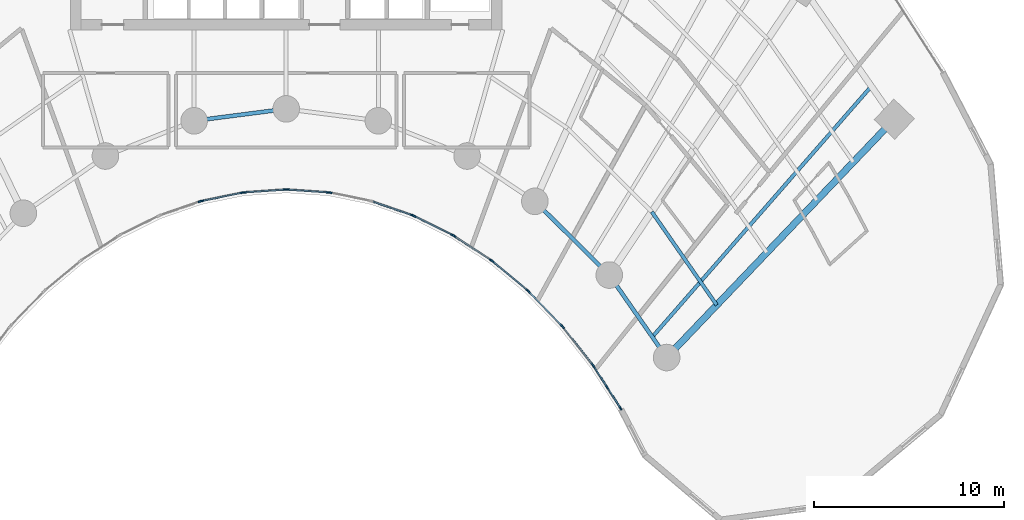
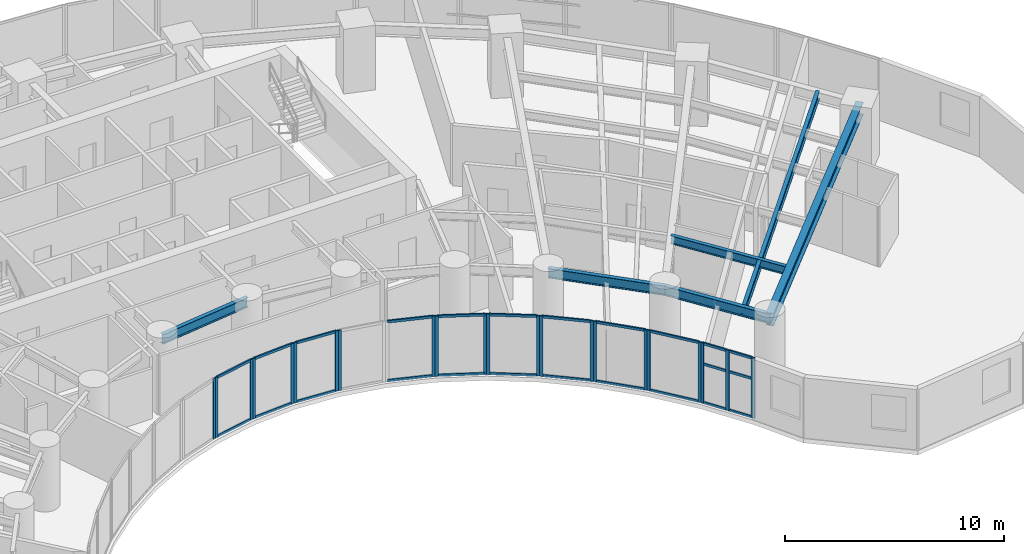
# One storey, part 4 of 17: 46 members, 6 beams, 12 elements without a shape of their own.
"""IFC4 building model written with IfcOpenShell, lengths in metres."""

import ifcopenshell
import ifcopenshell.guid

model = None  # the IFC model being written
_history = None  # IfcOwnerHistory: only IFC2X3 demands one
_inside = {}  # id of a spatial element -> (the spatial element, [elements in it])
_under = {}  # id of a project, library or spatial element -> (it, [spatial elements below it])
_declared = {}  # id of a project -> (the project, [libraries it declares])
_typed = {}  # id of a type object -> (the type object, [elements of that type])
_made_of = {}  # id of a material, layer set ... -> (it, [elements and type objects made of it])


def new_model(schema):
    """Start an empty IFC model of exactly this schema.

    Asked for "IFC4X3", IfcOpenShell would pick the latest addendum, in which some entities
    have other attributes; the version numbers below select the first issue.
    IFC2X3 requires an IfcOwnerHistory on every rooted entity: one is made here for all.
    """
    global model, _history
    if schema == "IFC4X3":
        model = ifcopenshell.file(schema_version=(4, 3, 0, 0))
    else:
        model = ifcopenshell.file(schema=schema)
    _inside.clear()
    _under.clear()
    _declared.clear()
    _typed.clear()
    _made_of.clear()
    _history = None
    if model.schema == "IFC2X3":
        org = make("IfcOrganization", Name="unknown")
        user = make(
            "IfcPersonAndOrganization",
            ThePerson=make("IfcPerson", FamilyName="unknown"),
            TheOrganization=org,
        )
        app = make(
            "IfcApplication",
            ApplicationDeveloper=org,
            Version="unknown",
            ApplicationFullName="unknown",
            ApplicationIdentifier="unknown",
        )
        _history = make(
            "IfcOwnerHistory",
            OwningUser=user,
            OwningApplication=app,
            ChangeAction="ADDED",
            CreationDate=0,
        )
    return model


def make(cls, **values):
    """One entity of the class cls with the attributes given. An attribute that is None is left unset."""
    return model.create_entity(
        cls, **{name: value for name, value in values.items() if value is not None}
    )


def rooted(cls, **values):
    """An entity with a GlobalId (a new one), such as an element, a storey or a relation."""
    return make(cls, GlobalId=ifcopenshell.guid.new(), OwnerHistory=_history, **values)


def si_unit(unit_type, name, prefix=None):
    """IfcSIUnit, for example si_unit("LENGTHUNIT", "METRE", prefix="MILLI")."""
    return make("IfcSIUnit", UnitType=unit_type, Prefix=prefix, Name=name)


def assignment(units):
    """IfcUnitAssignment: the units of a project."""
    return None if units is None else make("IfcUnitAssignment", Units=units)


def point(xyz):
    """IfcCartesianPoint."""
    return None if xyz is None else make("IfcCartesianPoint", Coordinates=xyz)


def direction(xyz):
    """IfcDirection."""
    return None if xyz is None else make("IfcDirection", DirectionRatios=xyz)


def frame(location, z_axis=None, x_axis=None):
    """IfcAxis2Placement3D, a coordinate frame: its origin and axes. An axis left out is left unset."""
    return make(
        "IfcAxis2Placement3D",
        Location=point(location),
        Axis=direction(z_axis),
        RefDirection=direction(x_axis),
    )


def frame_2d(location, x_axis=None):
    """IfcAxis2Placement2D, a coordinate frame in the plane: its origin and x axis."""
    return make(
        "IfcAxis2Placement2D", Location=point(location), RefDirection=direction(x_axis)
    )


def origin():
    """The frame at (0, 0, 0) with its axes left unset."""
    return frame((0.0, 0.0, 0.0))


def origin_2d():
    """The frame at (0, 0) in the plane with its x axis left unset."""
    return frame_2d((0.0, 0.0))


def place(relative_to, where):
    """IfcLocalPlacement: puts the frame where relative to a parent placement (None: the world)."""
    return make(
        "IfcLocalPlacement", PlacementRelTo=relative_to, RelativePlacement=where
    )


def context(
    kind, dimensions, precision=None, world=None, true_north=None, identifier=None
):
    """IfcGeometricRepresentationContext, for example the 3D "Model" context."""
    return make(
        "IfcGeometricRepresentationContext",
        ContextIdentifier=identifier,
        ContextType=kind,
        CoordinateSpaceDimension=dimensions,
        Precision=precision,
        WorldCoordinateSystem=world,
        TrueNorth=true_north,
    )


def subcontext(parent, identifier, kind, view, scale=None):
    """IfcGeometricRepresentationSubContext, for example "Body" below "Model"."""
    return make(
        "IfcGeometricRepresentationSubContext",
        ContextIdentifier=identifier,
        ContextType=kind,
        ParentContext=parent,
        TargetScale=scale,
        TargetView=view,
    )


def project(units=None, contexts=None):
    """IfcProject with its units and contexts."""
    return rooted(
        "IfcProject",
        Name="project",
        RepresentationContexts=contexts,
        UnitsInContext=assignment(units),
    )


def spatial(cls, under=None, at=None, **own):
    """A site, building, storey or space (cls), placed at a placement, below another one or the project."""
    s = rooted(cls, ObjectPlacement=at, **own)
    if under is not None:
        _under.setdefault(under.id(), (under, []))[1].append(s)
    return s


def profile(cls, at=None, kind="AREA", **sizes):
    """A parametric profile (cls). Its sizes go by their IFC names, for example OverallWidth=200.0."""
    return make(cls, ProfileType=kind, Position=at, **sizes)


def rectangle(**sizes):
    """IfcRectangleProfileDef."""
    return profile("IfcRectangleProfileDef", **sizes)


def i_section(**sizes):
    """IfcIShapeProfileDef."""
    return profile("IfcIShapeProfileDef", **sizes)


def extrude(swept, where, along, depth):
    """IfcExtrudedAreaSolid: the profile swept, set in the frame where, extruded along a direction by depth."""
    return make(
        "IfcExtrudedAreaSolid",
        SweptArea=swept,
        Position=where,
        ExtrudedDirection=direction(along),
        Depth=depth,
    )


def shape(context_of_items, identifier, shape_type, items):
    """IfcShapeRepresentation: the items that make up one representation, for example the "Body"."""
    return make(
        "IfcShapeRepresentation",
        ContextOfItems=context_of_items,
        RepresentationIdentifier=identifier,
        RepresentationType=shape_type,
        Items=items,
    )


def source(mapping_origin, context_of_items, identifier, shape_type, items):
    """IfcRepresentationMap: a shape defined once, which mapped items show again and again."""
    return make(
        "IfcRepresentationMap",
        MappingOrigin=mapping_origin,
        MappedRepresentation=shape(context_of_items, identifier, shape_type, items),
    )


def transform(
    local_origin,
    x_axis=None,
    y_axis=None,
    z_axis=None,
    scale=None,
    scale2=None,
    scale3=None,
    uniform=True,
):
    """IfcCartesianTransformationOperator3D, or its non-uniform kind. x_axis, y_axis, z_axis: its Axis1, 2, 3."""
    if uniform:
        return make(
            "IfcCartesianTransformationOperator3D",
            Axis1=direction(x_axis),
            Axis2=direction(y_axis),
            LocalOrigin=point(local_origin),
            Scale=scale,
            Axis3=direction(z_axis),
        )
    return make(
        "IfcCartesianTransformationOperator3DnonUniform",
        Axis1=direction(x_axis),
        Axis2=direction(y_axis),
        LocalOrigin=point(local_origin),
        Scale=scale,
        Axis3=direction(z_axis),
        Scale2=scale2,
        Scale3=scale3,
    )


def mapped(mapping_source, mapping_target):
    """IfcMappedItem: shows the shape of a source again, moved by a transform."""
    return make(
        "IfcMappedItem", MappingSource=mapping_source, MappingTarget=mapping_target
    )


def material(Name=None, Category=None):
    """IfcMaterial."""
    return make("IfcMaterial", Name=Name, Category=Category)


def layer(
    of_material, thickness, ventilated=None, Name=None, Category=None, Priority=None
):
    """IfcMaterialLayer: one layer of a wall or slab, of a material (None: an air gap)."""
    return make(
        "IfcMaterialLayer",
        Material=of_material,
        LayerThickness=thickness,
        IsVentilated=ventilated,
        Name=Name,
        Category=Category,
        Priority=Priority,
    )


def layer_set(layers, Name=None):
    """IfcMaterialLayerSet."""
    return make("IfcMaterialLayerSet", MaterialLayers=layers, LayerSetName=Name)


def material_profile(
    of_material, cross_section, Name=None, Category=None, Priority=None
):
    """IfcMaterialProfile: a cross section and its material."""
    return make(
        "IfcMaterialProfile",
        Name=Name,
        Material=of_material,
        Profile=cross_section,
        Priority=Priority,
        Category=Category,
    )


def profile_set(profiles, Name=None, composite=None):
    """IfcMaterialProfileSet."""
    return make(
        "IfcMaterialProfileSet",
        Name=Name,
        MaterialProfiles=profiles,
        CompositeProfile=composite,
    )


def made_of(thing, what):
    """Note that an element or type object is made of a material, layer set ...; save() writes the relation."""
    if what is not None:
        _made_of.setdefault(what.id(), (what, []))[1].append(thing)
    return thing


def type_object(cls, material=None, **own):
    """A type object (cls), such as IfcWallType, which elements share."""
    return made_of(rooted(cls, **own), material)


def type_shapes(of_type, sources):
    """Give a type object the sources (RepresentationMaps) that its elements show as mapped items."""
    of_type.RepresentationMaps = sources


def element(
    cls,
    number,
    at=None,
    inside=None,
    cuts=None,
    type_object=None,
    material=None,
    context=None,
    identifier="Body",
    shape_type=None,
    held_by="IfcProductDefinitionShape",
    body=None,
    shapes=None,
    **own,
):
    """One element of the class cls, such as IfcWall. Its Tag is "e" and its number.

    at: its placement. inside: the storey or other place that contains it. cuts: it is an
    opening in that element (IfcRelVoidsElement). A single representation is given by context,
    identifier, shape_type and body (its items); several are given by shapes. held_by: the class
    of the entity that holds the representations. save() writes the other relations.
    """
    e = rooted(cls, Tag="e%d" % number, ObjectPlacement=at, **own)
    if body is not None:
        shapes = [shape(context, identifier, shape_type, body)]
    if shapes is not None:
        e.Representation = make(held_by, Representations=shapes)
    if inside is not None:
        _inside.setdefault(inside.id(), (inside, []))[1].append(e)
    if cuts is not None:
        rooted(
            "IfcRelVoidsElement", RelatingBuildingElement=cuts, RelatedOpeningElement=e
        )
    if type_object is not None:
        _typed.setdefault(type_object.id(), (type_object, []))[1].append(e)
    return made_of(e, material)


def aggregate(whole, parts):
    """IfcRelAggregates: a whole, such as a stair, and the parts it consists of."""
    return rooted("IfcRelAggregates", RelatingObject=whole, RelatedObjects=parts)


def save(model, path):
    """Write the relations noted so far, then the file.

    IfcRelAggregates (storeys below a building ...), IfcRelContainedInSpatialStructure (elements
    in a storey), IfcRelDefinesByType, IfcRelAssociatesMaterial and IfcRelDeclares: one each for
    every whole, place, type object, material and project.
    """
    for whole, parts in _under.values():
        aggregate(whole, parts)
    for where, things in _inside.values():
        rooted(
            "IfcRelContainedInSpatialStructure",
            RelatedElements=things,
            RelatingStructure=where,
        )
    for kind, things in _typed.values():
        rooted("IfcRelDefinesByType", RelatedObjects=things, RelatingType=kind)
    for what, things in _made_of.values():
        rooted("IfcRelAssociatesMaterial", RelatedObjects=things, RelatingMaterial=what)
    for by, libraries in _declared.values():
        rooted("IfcRelDeclares", RelatingContext=by, RelatedDefinitions=libraries)
    model.write(path)


model = new_model("IFC4")

# Units and contexts
model_context = context("Model", 3, precision=1e-05, world=origin(), true_north=direction((0.0, 1.0)))
body_context = subcontext(model_context, "Body", "Model", "MODEL_VIEW")
ifc_project = project(units=[si_unit("LENGTHUNIT", "METRE"), si_unit("AREAUNIT", "SQUARE_METRE"), si_unit("VOLUMEUNIT", "CUBIC_METRE"), si_unit("PLANEANGLEUNIT", "RADIAN"), si_unit("MASSUNIT", "GRAM", prefix="KILO")], contexts=[model_context])

# Site, building, storey
site_placement = place(None, origin())
site = spatial("IfcSite", under=ifc_project, at=site_placement, CompositionType="ELEMENT")
building_placement = place(site_placement, origin())
building = spatial("IfcBuilding", under=site, at=building_placement, Name="Breltana Convention Tower", CompositionType="ELEMENT")
storey_placement = place(building_placement, frame((0.0, 0.0, 71.39990234375)))
storey = spatial("IfcBuildingStorey", under=building, at=storey_placement, Name="L16", CompositionType="ELEMENT", Elevation=71.39990234375)

# Beams
ifc_material_1 = material(Name="Steel ASTM A992 Grade 50", Category="steel")
ifc_material_profile_1 = material_profile(ifc_material_1, i_section(OverallWidth=0.35498046875, OverallDepth=0.696044921875, WebThickness=0.015380859375, FlangeThickness=0.02490234375, at=origin_2d()), Name="W27X146")
ifc_profile_set_1 = profile_set([ifc_material_profile_1], Name="Steel ASTM A992 Grade 50")
beam_type_1 = type_object("IfcBeamType", Name="BM-RG-W27X146", PredefinedType="USERDEFINED", material=ifc_profile_set_1)
shared_shape_1 = source(origin(), body_context, "Body", "SweptSolid", [
    extrude(i_section(OverallWidth=0.35498046875, OverallDepth=0.696044921875, WebThickness=0.015380859375, FlangeThickness=0.02490234375, at=origin_2d()), origin(), (0.0, 0.0, 1.0), 17.341064453125),
])
type_shapes(beam_type_1, [shared_shape_1])
beam_1_placement = place(storey_placement, frame((68.015380859375, 42.95458984375, 3.01220703125), z_axis=(0.690716462293, 0.723125693581, 0.0), x_axis=(-0.723125693581, 0.690716462293, 0.0)))
element("IfcBeam", 1, at=beam_1_placement, inside=storey, type_object=beam_type_1, Name="L16 Radial Floor Girder R11", ObjectType="GIRDER", PredefinedType="USERDEFINED", context=body_context, shape_type="MappedRepresentation", body=[
    mapped(shared_shape_1, transform((0.0, 0.0, 0.0), scale=1.0)),
])
ifc_material_profile_2 = material_profile(ifc_material_1, i_section(OverallWidth=0.2099609375, OverallDepth=0.537109375, WebThickness=0.010986328125, FlangeThickness=0.017333984375, at=origin_2d()), Name="W21X68")
ifc_profile_set_2 = profile_set([ifc_material_profile_2], Name="Steel ASTM A992 Grade 50")
beam_type_2 = type_object("IfcBeamType", Name="BM-BM-W21X68", PredefinedType="BEAM", material=ifc_profile_set_2)
shared_shape_2 = source(origin(), body_context, "Body", "SweptSolid", [
    extrude(i_section(OverallWidth=0.2099609375, OverallDepth=0.537109375, WebThickness=0.010986328125, FlangeThickness=0.017333984375, at=origin_2d()), origin(), (0.0, 0.0, 1.0), 4.88671875),
])
beam_2_placement = place(storey_placement, frame((43.153564453125, 55.41064453125, 3.091552734375), z_axis=(0.991780525565, 0.127950729231, 0.0), x_axis=(-0.127950729231, 0.991780525565, 0.0)))
element("IfcBeam", 2, at=beam_2_placement, inside=storey, type_object=beam_type_2, Name="L16 Inner Ring Beam 05", PredefinedType="BEAM", context=body_context, shape_type="MappedRepresentation", body=[
    mapped(shared_shape_2, transform((0.0, 0.0, 0.0), scale=1.0)),
])
shared_shape_3 = source(origin(), body_context, "Body", "SweptSolid", [
    extrude(i_section(OverallWidth=0.2099609375, OverallDepth=0.537109375, WebThickness=0.010986328125, FlangeThickness=0.017333984375, at=origin_2d()), origin(), (0.0, 0.0, 1.0), 5.51171875),
])
beam_3_placement = place(storey_placement, frame((61.08203125, 51.174560546875, 3.091552734375), z_axis=(0.710090360749, -0.704110559196, 0.0), x_axis=(0.704110559196, 0.710090360749, 0.0)))
element("IfcBeam", 3, at=beam_3_placement, inside=storey, type_object=beam_type_2, Name="L16 Inner Ring Beam 09", PredefinedType="BEAM", context=body_context, shape_type="MappedRepresentation", body=[
    mapped(shared_shape_3, transform((0.0, 0.0, 0.0), scale=1.0)),
])
shared_shape_4 = source(origin(), body_context, "Body", "SweptSolid", [
    extrude(i_section(OverallWidth=0.2099609375, OverallDepth=0.537109375, WebThickness=0.010986328125, FlangeThickness=0.017333984375, at=origin_2d()), origin(), (0.0, 0.0, 1.0), 5.286376953125),
])
beam_4_placement = place(storey_placement, frame((64.995849609375, 47.293701171875, 3.091552734375), z_axis=(0.571194382458, -0.82081482531, 0.0), x_axis=(0.82081482531, 0.571194382458, 0.0)))
element("IfcBeam", 4, at=beam_4_placement, inside=storey, type_object=beam_type_2, Name="L16 Inner Ring Beam 10", PredefinedType="BEAM", context=body_context, shape_type="MappedRepresentation", body=[
    mapped(shared_shape_4, transform((0.0, 0.0, 0.0), scale=1.0)),
])
ifc_material_profile_3 = material_profile(ifc_material_1, i_section(OverallWidth=0.19091796875, OverallDepth=0.4599609375, WebThickness=0.010009765625, FlangeThickness=0.01611328125, at=origin_2d()), Name="W18X55")
ifc_profile_set_3 = profile_set([ifc_material_profile_3], Name="Steel ASTM A992 Grade 50")
beam_type_3 = type_object("IfcBeamType", Name="BM-JSG-07", PredefinedType="JOIST", material=ifc_profile_set_3)
shared_shape_5 = source(origin(), body_context, "Body", "SweptSolid", [
    extrude(i_section(OverallWidth=0.19091796875, OverallDepth=0.4599609375, WebThickness=0.010009765625, FlangeThickness=0.01611328125, at=origin_2d()), origin(), (0.0, 0.0, 1.0), 5.982421875),
])
beam_5_placement = place(storey_placement, frame((67.2333984375, 50.623779296875, 3.130126953125), z_axis=(0.571211549446, -0.82080287876, 0.0), x_axis=(0.82080287876, 0.571211549446, 0.0)))
element("IfcBeam", 5, at=beam_5_placement, inside=storey, type_object=beam_type_3, Name="L16 Composite Floor Joist 10.1", PredefinedType="JOIST", context=body_context, shape_type="MappedRepresentation", body=[
    mapped(shared_shape_5, transform((0.0, 0.0, 0.0), scale=1.0)),
])
shared_shape_6 = source(origin(), body_context, "Body", "SweptSolid", [
    extrude(i_section(OverallWidth=0.19091796875, OverallDepth=0.4599609375, WebThickness=0.010009765625, FlangeThickness=0.01611328125, at=origin_2d()), origin(), (0.0, 0.0, 1.0), 17.515625),
])
beam_6_placement = place(storey_placement, frame((67.260498046875, 44.03955078125, 3.130126953125), z_axis=(0.658051548324, 0.752972881151, 0.0), x_axis=(-0.752972881151, 0.658051548324, 0.0)))
element("IfcBeam", 6, at=beam_6_placement, inside=storey, type_object=beam_type_3, Name="L16 Quarter-Bay Radial Trimmer 10", PredefinedType="JOIST", context=body_context, shape_type="MappedRepresentation", body=[
    mapped(shared_shape_6, transform((0.0, 0.0, 0.0), scale=1.0)),
])

# Curtain wall, members
ifc_material_2 = material(Name="Aluminium Anodised Bronze Frame", Category="aluminium")
ifc_layer = layer(ifc_material_2, 0.18994140625, Name="Aluminium Anodised Bronze Frame")
ifc_layer_set = layer_set([ifc_layer], Name="Aluminium Anodised Bronze Frame")
curtain_wall_type = type_object("IfcCurtainWallType", Name="CW-SYS-1", PredefinedType="NOTDEFINED", material=ifc_layer_set)
curtain_wall_1_placement = place(storey_placement, origin())
curtain_wall_1 = element("IfcCurtainWall", 7, at=curtain_wall_1_placement, inside=storey, type_object=curtain_wall_type, Name="L16 inner south-court glazing 3", PredefinedType="NOTDEFINED")
ifc_material_3 = material(Name="Aluminium Anodised Bronze", Category="aluminium")
ifc_material_profile_4 = material_profile(ifc_material_3, rectangle(XDim=0.080078125, YDim=0.139892578125, at=origin_2d()), Name="CWT-80X140")
ifc_profile_set_4 = profile_set([ifc_material_profile_4], Name="Aluminium Anodised Bronze")
member_type_1 = type_object("IfcMemberType", Name="CWT-140", PredefinedType="USERDEFINED", material=ifc_profile_set_4)
shared_shape_7 = source(origin(), body_context, "Body", "SweptSolid", [
    extrude(rectangle(XDim=0.080078125, YDim=0.139892578125, at=origin_2d()), origin(), (0.0, 0.0, 1.0), 2.38720703125),
])
type_shapes(member_type_1, [shared_shape_7])
member_1_placement = place(storey_placement, frame((62.4560546875, 44.667724609375, 0.0400390625), z_axis=(-0.694623715393, 0.719373264734, 0.0), x_axis=(-0.719373264734, -0.694623715393, 0.0)))
member_1 = element("IfcMember", 8, at=member_1_placement, type_object=member_type_1, Name="CW-01 transom 1.1", ObjectType="TRANSOM", PredefinedType="USERDEFINED", context=body_context, shape_type="MappedRepresentation", body=[
    mapped(shared_shape_7, transform((0.0, 0.0, 0.0), scale=1.0)),
])
member_2_placement = place(storey_placement, frame((62.4560546875, 44.667724609375, 3.320068359375), z_axis=(-0.694623715393, 0.719373264734, 0.0), x_axis=(-0.719373264734, -0.694623715393, 0.0)))
member_2 = element("IfcMember", 9, at=member_2_placement, type_object=member_type_1, Name="CW-01 transom 1.2", ObjectType="TRANSOM", PredefinedType="USERDEFINED", context=body_context, shape_type="MappedRepresentation", body=[
    mapped(shared_shape_7, transform((0.0, 0.0, 0.0), scale=1.0)),
])

curtain_wall_2_placement = place(storey_placement, origin())
curtain_wall_2 = element("IfcCurtainWall", 10, at=curtain_wall_2_placement, inside=storey, type_object=curtain_wall_type, Name="L16 inner south-court glazing 4", PredefinedType="NOTDEFINED")
shared_shape_8 = source(origin(), body_context, "Body", "SweptSolid", [
    extrude(rectangle(XDim=0.080078125, YDim=0.139892578125, at=origin_2d()), origin(), (0.0, 0.0, 1.0), 2.312255859375),
])
member_3_placement = place(storey_placement, frame((60.666748046875, 46.5068359375, 0.0400390625), z_axis=(-0.767900974507, 0.640568570374, 0.0), x_axis=(-0.640568570374, -0.767900974507, 0.0)))
member_3 = element("IfcMember", 11, at=member_3_placement, type_object=member_type_1, Name="CW-01 transom 1.1", ObjectType="TRANSOM", PredefinedType="USERDEFINED", context=body_context, shape_type="MappedRepresentation", body=[
    mapped(shared_shape_8, transform((0.0, 0.0, 0.0), scale=1.0)),
])
member_4_placement = place(storey_placement, frame((60.666748046875, 46.5068359375, 3.320068359375), z_axis=(-0.767900974507, 0.640568570374, 0.0), x_axis=(-0.640568570374, -0.767900974507, 0.0)))
member_4 = element("IfcMember", 12, at=member_4_placement, type_object=member_type_1, Name="CW-01 transom 1.2", ObjectType="TRANSOM", PredefinedType="USERDEFINED", context=body_context, shape_type="MappedRepresentation", body=[
    mapped(shared_shape_8, transform((0.0, 0.0, 0.0), scale=1.0)),
])

curtain_wall_3_placement = place(storey_placement, origin())
curtain_wall_3 = element("IfcCurtainWall", 13, at=curtain_wall_3_placement, inside=storey, type_object=curtain_wall_type, Name="L16 inner south-court glazing 5", PredefinedType="NOTDEFINED")
shared_shape_9 = source(origin(), body_context, "Body", "SweptSolid", [
    extrude(rectangle(XDim=0.080078125, YDim=0.139892578125, at=origin_2d()), origin(), (0.0, 0.0, 1.0), 2.2421875),
])
member_5_placement = place(storey_placement, frame((58.746337890625, 48.095458984375, 0.0400390625), z_axis=(-0.835982353773, 0.548756324957, 0.0), x_axis=(-0.548756324957, -0.835982353773, 0.0)))
member_5 = element("IfcMember", 14, at=member_5_placement, type_object=member_type_1, Name="CW-01 transom 1.1", ObjectType="TRANSOM", PredefinedType="USERDEFINED", context=body_context, shape_type="MappedRepresentation", body=[
    mapped(shared_shape_9, transform((0.0, 0.0, 0.0), scale=1.0)),
])
member_6_placement = place(storey_placement, frame((58.746337890625, 48.095458984375, 3.320068359375), z_axis=(-0.835982353773, 0.548756324957, 0.0), x_axis=(-0.548756324957, -0.835982353773, 0.0)))
member_6 = element("IfcMember", 15, at=member_6_placement, type_object=member_type_1, Name="CW-01 transom 1.2", ObjectType="TRANSOM", PredefinedType="USERDEFINED", context=body_context, shape_type="MappedRepresentation", body=[
    mapped(shared_shape_9, transform((0.0, 0.0, 0.0), scale=1.0)),
])

curtain_wall_4_placement = place(storey_placement, origin())
curtain_wall_4 = element("IfcCurtainWall", 16, at=curtain_wall_4_placement, inside=storey, type_object=curtain_wall_type, Name="L16 inner south-court glazing 6", PredefinedType="NOTDEFINED")
shared_shape_10 = source(origin(), body_context, "Body", "SweptSolid", [
    extrude(rectangle(XDim=0.080078125, YDim=0.139892578125, at=origin_2d()), origin(), (0.0, 0.0, 1.0), 2.180908203125),
])
member_7_placement = place(storey_placement, frame((56.71435546875, 49.416015625, 0.0400390625), z_axis=(-0.895922266369, 0.444210865045, 0.0), x_axis=(-0.444210865045, -0.895922266369, 0.0)))
member_7 = element("IfcMember", 17, at=member_7_placement, type_object=member_type_1, Name="CW-01 transom 1.1", ObjectType="TRANSOM", PredefinedType="USERDEFINED", context=body_context, shape_type="MappedRepresentation", body=[
    mapped(shared_shape_10, transform((0.0, 0.0, 0.0), scale=1.0)),
])
member_8_placement = place(storey_placement, frame((56.71435546875, 49.416015625, 3.320068359375), z_axis=(-0.895922266369, 0.444210865045, 0.0), x_axis=(-0.444210865045, -0.895922266369, 0.0)))
member_8 = element("IfcMember", 18, at=member_8_placement, type_object=member_type_1, Name="CW-01 transom 1.2", ObjectType="TRANSOM", PredefinedType="USERDEFINED", context=body_context, shape_type="MappedRepresentation", body=[
    mapped(shared_shape_10, transform((0.0, 0.0, 0.0), scale=1.0)),
])

curtain_wall_5_placement = place(storey_placement, origin())
curtain_wall_5 = element("IfcCurtainWall", 19, at=curtain_wall_5_placement, inside=storey, type_object=curtain_wall_type, Name="L16 inner south-court glazing 9", PredefinedType="NOTDEFINED")
shared_shape_11 = source(origin(), body_context, "Body", "SweptSolid", [
    extrude(rectangle(XDim=0.080078125, YDim=0.139892578125, at=origin_2d()), origin(), (0.0, 0.0, 1.0), 2.07861328125),
])
member_9_placement = place(storey_placement, frame((50.165771484375, 51.6474609375, 0.0400390625), z_axis=(-0.997708627147, 0.067657189691, 0.0), x_axis=(-0.067657189691, -0.997708627147, 0.0)))
member_9 = element("IfcMember", 20, at=member_9_placement, type_object=member_type_1, Name="CW-01 transom 1.1", ObjectType="TRANSOM", PredefinedType="USERDEFINED", context=body_context, shape_type="MappedRepresentation", body=[
    mapped(shared_shape_11, transform((0.0, 0.0, 0.0), scale=1.0)),
])
member_10_placement = place(storey_placement, frame((50.165771484375, 51.6474609375, 3.320068359375), z_axis=(-0.997708627147, 0.067657189691, 0.0), x_axis=(-0.067657189691, -0.997708627147, 0.0)))
member_10 = element("IfcMember", 21, at=member_10_placement, type_object=member_type_1, Name="CW-01 transom 1.2", ObjectType="TRANSOM", PredefinedType="USERDEFINED", context=body_context, shape_type="MappedRepresentation", body=[
    mapped(shared_shape_11, transform((0.0, 0.0, 0.0), scale=1.0)),
])

curtain_wall_6_placement = place(storey_placement, origin())
curtain_wall_6 = element("IfcCurtainWall", 22, at=curtain_wall_6_placement, inside=storey, type_object=curtain_wall_type, Name="L16 inner south-court glazing 10", PredefinedType="NOTDEFINED")
member_11_placement = place(storey_placement, frame((47.907958984375, 51.7880859375, 0.0400390625), z_axis=(-0.997708627147, -0.067657189691, 0.0), x_axis=(0.067657189691, -0.997708627147, 0.0)))
member_11 = element("IfcMember", 23, at=member_11_placement, type_object=member_type_1, Name="CW-01 transom 1.1", ObjectType="TRANSOM", PredefinedType="USERDEFINED", context=body_context, shape_type="MappedRepresentation", body=[
    mapped(shared_shape_11, transform((0.0, 0.0, 0.0), scale=1.0)),
])
member_12_placement = place(storey_placement, frame((47.907958984375, 51.7880859375, 3.320068359375), z_axis=(-0.997708627147, -0.067657189691, 0.0), x_axis=(0.067657189691, -0.997708627147, 0.0)))
member_12 = element("IfcMember", 24, at=member_12_placement, type_object=member_type_1, Name="CW-01 transom 1.2", ObjectType="TRANSOM", PredefinedType="USERDEFINED", context=body_context, shape_type="MappedRepresentation", body=[
    mapped(shared_shape_11, transform((0.0, 0.0, 0.0), scale=1.0)),
])

curtain_wall_7_placement = place(storey_placement, origin())
curtain_wall_7 = element("IfcCurtainWall", 25, at=curtain_wall_7_placement, inside=storey, type_object=curtain_wall_type, Name="L16 inner south-court glazing 2", PredefinedType="NOTDEFINED")
shared_shape_12 = source(origin(), body_context, "Body", "SweptSolid", [
    extrude(rectangle(XDim=0.080078125, YDim=0.139892578125, at=origin_2d()), origin(), (0.0, 0.0, 1.0), 2.4638671875),
])
member_13_placement = place(storey_placement, frame((64.09619140625, 42.5966796875, 0.0400390625), z_axis=(-0.618184689608, 0.786032880695, 0.0), x_axis=(-0.786032880695, -0.618184689608, 0.0)))
member_13 = element("IfcMember", 26, at=member_13_placement, type_object=member_type_1, Name="CW-01 transom 1.1", ObjectType="TRANSOM", PredefinedType="USERDEFINED", context=body_context, shape_type="MappedRepresentation", body=[
    mapped(shared_shape_12, transform((0.0, 0.0, 0.0), scale=1.0)),
])
member_14_placement = place(storey_placement, frame((64.09619140625, 42.5966796875, 3.320068359375), z_axis=(-0.618184689608, 0.786032880695, 0.0), x_axis=(-0.786032880695, -0.618184689608, 0.0)))
member_14 = element("IfcMember", 27, at=member_14_placement, type_object=member_type_1, Name="CW-01 transom 1.2", ObjectType="TRANSOM", PredefinedType="USERDEFINED", context=body_context, shape_type="MappedRepresentation", body=[
    mapped(shared_shape_12, transform((0.0, 0.0, 0.0), scale=1.0)),
])

curtain_wall_8_placement = place(storey_placement, origin())
curtain_wall_8 = element("IfcCurtainWall", 28, at=curtain_wall_8_placement, inside=storey, type_object=curtain_wall_type, Name="L16 inner south-court glazing 1", PredefinedType="NOTDEFINED")
ifc_material_profile_5 = material_profile(ifc_material_3, rectangle(XDim=0.080078125, YDim=0.199951171875, at=origin_2d()), Name="CWM-80X200")
ifc_profile_set_5 = profile_set([ifc_material_profile_5], Name="Aluminium Anodised Bronze")
member_type_2 = type_object("IfcMemberType", Name="CWM-200", PredefinedType="MULLION", material=ifc_profile_set_5)
shared_shape_13 = source(origin(), body_context, "Body", "SweptSolid", [
    extrude(rectangle(XDim=0.080078125, YDim=0.199951171875, at=origin_2d()), origin(), (0.0, 0.0, 1.0), 3.360107421875),
])
member_15_placement = place(storey_placement, frame((65.59228515625, 40.281494140625, 0.0), z_axis=(0.0, 0.0, 1.0), x_axis=(-0.841556194767, -0.540169576197, 0.0)))
member_15 = element("IfcMember", 29, at=member_15_placement, type_object=member_type_2, Name="CW-01 mullion 1", PredefinedType="MULLION", context=body_context, shape_type="MappedRepresentation", body=[
    mapped(shared_shape_13, transform((0.0, 0.0, 0.0), scale=1.0)),
])
member_16_placement = place(storey_placement, frame((64.884765625, 41.3837890625, 0.0), z_axis=(0.0, 0.0, 1.0), x_axis=(-0.841556194767, -0.540169576197, 0.0)))
member_16 = element("IfcMember", 30, at=member_16_placement, type_object=member_type_2, Name="CW-01 mullion 2", PredefinedType="MULLION", context=body_context, shape_type="MappedRepresentation", body=[
    mapped(shared_shape_13, transform((0.0, 0.0, 0.0), scale=1.0)),
])
member_17_placement = place(storey_placement, frame((64.17724609375, 42.48583984375, 0.0), z_axis=(0.0, 0.0, 1.0), x_axis=(-0.841556194767, -0.540169576197, 0.0)))
member_17 = element("IfcMember", 31, at=member_17_placement, type_object=member_type_2, Name="CW-01 mullion 3", PredefinedType="MULLION", context=body_context, shape_type="MappedRepresentation", body=[
    mapped(shared_shape_13, transform((0.0, 0.0, 0.0), scale=1.0)),
])

# Member
member_18_placement = place(storey_placement, frame((64.12109375, 42.565185546875, 0.0), z_axis=(0.0, 0.0, 1.0), x_axis=(-0.786057762734, -0.61815305034, 0.0)))
member_18 = element("IfcMember", 32, at=member_18_placement, type_object=member_type_2, Name="CW-01 mullion 1", PredefinedType="MULLION", context=body_context, shape_type="MappedRepresentation", body=[
    mapped(shared_shape_13, transform((0.0, 0.0, 0.0), scale=1.0)),
])

member_19_placement = place(storey_placement, frame((62.54833984375, 44.56494140625, 0.0), z_axis=(0.0, 0.0, 1.0), x_axis=(-0.786057762734, -0.61815305034, 0.0)))
member_19 = element("IfcMember", 33, at=member_19_placement, type_object=member_type_2, Name="CW-01 mullion 2", PredefinedType="MULLION", context=body_context, shape_type="MappedRepresentation", body=[
    mapped(shared_shape_13, transform((0.0, 0.0, 0.0), scale=1.0)),
])

aggregate(curtain_wall_7, [member_18, member_19, member_13, member_14])

member_20_placement = place(storey_placement, frame((62.48388671875, 44.638916015625, 0.0), z_axis=(0.0, 0.0, 1.0), x_axis=(-0.719384548773, -0.694612029111, 0.0)))
member_20 = element("IfcMember", 34, at=member_20_placement, type_object=member_type_2, Name="CW-01 mullion 1", PredefinedType="MULLION", context=body_context, shape_type="MappedRepresentation", body=[
    mapped(shared_shape_13, transform((0.0, 0.0, 0.0), scale=1.0)),
])

member_21_placement = place(storey_placement, frame((60.77001953125, 46.413818359375, 0.0), z_axis=(0.0, 0.0, 1.0), x_axis=(-0.719384548773, -0.694612029111, 0.0)))
member_21 = element("IfcMember", 35, at=member_21_placement, type_object=member_type_2, Name="CW-01 mullion 2", PredefinedType="MULLION", context=body_context, shape_type="MappedRepresentation", body=[
    mapped(shared_shape_13, transform((0.0, 0.0, 0.0), scale=1.0)),
])

aggregate(curtain_wall_1, [member_20, member_21, member_1, member_2])

member_22_placement = place(storey_placement, frame((60.697265625, 46.481201171875, 0.0), z_axis=(0.0, 0.0, 1.0), x_axis=(-0.640522524458, -0.767939382804, 0.0)))
member_22 = element("IfcMember", 36, at=member_22_placement, type_object=member_type_2, Name="CW-01 mullion 1", PredefinedType="MULLION", context=body_context, shape_type="MappedRepresentation", body=[
    mapped(shared_shape_13, transform((0.0, 0.0, 0.0), scale=1.0)),
])

member_23_placement = place(storey_placement, frame((58.8603515625, 48.013671875, 0.0), z_axis=(0.0, 0.0, 1.0), x_axis=(-0.640522524458, -0.767939382804, 0.0)))
member_23 = element("IfcMember", 37, at=member_23_placement, type_object=member_type_2, Name="CW-01 mullion 2", PredefinedType="MULLION", context=body_context, shape_type="MappedRepresentation", body=[
    mapped(shared_shape_13, transform((0.0, 0.0, 0.0), scale=1.0)),
])

aggregate(curtain_wall_2, [member_22, member_23, member_3, member_4])

member_24_placement = place(storey_placement, frame((58.779541015625, 48.073486328125, 0.0), z_axis=(0.0, 0.0, 1.0), x_axis=(-0.548778278441, -0.835967942634, 0.0)))
member_24 = element("IfcMember", 38, at=member_24_placement, type_object=member_type_2, Name="CW-01 mullion 1", PredefinedType="MULLION", context=body_context, shape_type="MappedRepresentation", body=[
    mapped(shared_shape_13, transform((0.0, 0.0, 0.0), scale=1.0)),
])

member_25_placement = place(storey_placement, frame((56.83837890625, 49.347900390625, 0.0), z_axis=(0.0, 0.0, 1.0), x_axis=(-0.548778278441, -0.835967942634, 0.0)))
member_25 = element("IfcMember", 39, at=member_25_placement, type_object=member_type_2, Name="CW-01 mullion 2", PredefinedType="MULLION", context=body_context, shape_type="MappedRepresentation", body=[
    mapped(shared_shape_13, transform((0.0, 0.0, 0.0), scale=1.0)),
])

aggregate(curtain_wall_3, [member_24, member_25, member_5, member_6])

member_26_placement = place(storey_placement, frame((56.750244140625, 49.3984375, 0.0), z_axis=(0.0, 0.0, 1.0), x_axis=(-0.444117987602, -0.895968310315, 0.0)))
member_26 = element("IfcMember", 40, at=member_26_placement, type_object=member_type_2, Name="CW-01 mullion 1", PredefinedType="MULLION", context=body_context, shape_type="MappedRepresentation", body=[
    mapped(shared_shape_13, transform((0.0, 0.0, 0.0), scale=1.0)),
])

member_27_placement = place(storey_placement, frame((54.724609375, 50.40234375, 0.0), z_axis=(0.0, 0.0, 1.0), x_axis=(-0.444117987602, -0.895968310315, 0.0)))
member_27 = element("IfcMember", 41, at=member_27_placement, type_object=member_type_2, Name="CW-01 mullion 2", PredefinedType="MULLION", context=body_context, shape_type="MappedRepresentation", body=[
    mapped(shared_shape_13, transform((0.0, 0.0, 0.0), scale=1.0)),
])

aggregate(curtain_wall_4, [member_26, member_27, member_7, member_8])

# Curtain wall, member
curtain_wall_9_placement = place(storey_placement, origin())
curtain_wall_9 = element("IfcCurtainWall", 42, at=curtain_wall_9_placement, inside=storey, type_object=curtain_wall_type, Name="L16 inner south-court glazing 7", PredefinedType="NOTDEFINED")
member_28_placement = place(storey_placement, frame((54.6298828125, 50.442138671875, 0.0), z_axis=(0.0, 0.0, 1.0), x_axis=(-0.327413341714, -0.944881211406, 0.0)))
member_28 = element("IfcMember", 43, at=member_28_placement, type_object=member_type_2, Name="CW-01 mullion 1", PredefinedType="MULLION", context=body_context, shape_type="MappedRepresentation", body=[
    mapped(shared_shape_13, transform((0.0, 0.0, 0.0), scale=1.0)),
])

curtain_wall_10_placement = place(storey_placement, origin())
curtain_wall_10 = element("IfcCurtainWall", 44, at=curtain_wall_10_placement, inside=storey, type_object=curtain_wall_type, Name="L16 inner south-court glazing 8", PredefinedType="NOTDEFINED")
member_29_placement = place(storey_placement, frame((50.30859375, 51.630615234375, 0.0), z_axis=(0.0, 0.0, 1.0), x_axis=(-0.200886350278, -0.97961455393, 0.0)))
member_29 = element("IfcMember", 45, at=member_29_placement, type_object=member_type_2, Name="CW-01 mullion 2", PredefinedType="MULLION", context=body_context, shape_type="MappedRepresentation", body=[
    mapped(shared_shape_13, transform((0.0, 0.0, 0.0), scale=1.0)),
])
aggregate(curtain_wall_10, [member_29])

# Member
member_30_placement = place(storey_placement, frame((50.20556640625, 51.644775390625, 0.0), z_axis=(0.0, 0.0, 1.0), x_axis=(-0.067725752326, -0.997703975371, 0.0)))
member_30 = element("IfcMember", 46, at=member_30_placement, type_object=member_type_2, Name="CW-01 mullion 1", PredefinedType="MULLION", context=body_context, shape_type="MappedRepresentation", body=[
    mapped(shared_shape_13, transform((0.0, 0.0, 0.0), scale=1.0)),
])

member_31_placement = place(storey_placement, frame((48.052001953125, 51.790771484375, 0.0), z_axis=(0.0, 0.0, 1.0), x_axis=(-0.067725752326, -0.997703975371, 0.0)))
member_31 = element("IfcMember", 47, at=member_31_placement, type_object=member_type_2, Name="CW-01 mullion 2", PredefinedType="MULLION", context=body_context, shape_type="MappedRepresentation", body=[
    mapped(shared_shape_13, transform((0.0, 0.0, 0.0), scale=1.0)),
])

aggregate(curtain_wall_5, [member_30, member_31, member_9, member_10])

member_32_placement = place(storey_placement, frame((47.947998046875, 51.790771484375, 0.0), z_axis=(0.0, 0.0, 1.0), x_axis=(0.067725752326, -0.997703975371, 0.0)))
member_32 = element("IfcMember", 48, at=member_32_placement, type_object=member_type_2, Name="CW-01 mullion 1", PredefinedType="MULLION", context=body_context, shape_type="MappedRepresentation", body=[
    mapped(shared_shape_13, transform((0.0, 0.0, 0.0), scale=1.0)),
])

member_33_placement = place(storey_placement, frame((45.79443359375, 51.644775390625, 0.0), z_axis=(0.0, 0.0, 1.0), x_axis=(0.067725752326, -0.997703975371, 0.0)))
member_33 = element("IfcMember", 49, at=member_33_placement, type_object=member_type_2, Name="CW-01 mullion 2", PredefinedType="MULLION", context=body_context, shape_type="MappedRepresentation", body=[
    mapped(shared_shape_13, transform((0.0, 0.0, 0.0), scale=1.0)),
])

aggregate(curtain_wall_6, [member_32, member_33, member_11, member_12])

# Curtain wall, members
curtain_wall_11_placement = place(storey_placement, origin())
curtain_wall_11 = element("IfcCurtainWall", 50, at=curtain_wall_11_placement, inside=storey, type_object=curtain_wall_type, Name="L16 inner south-court glazing 11", PredefinedType="NOTDEFINED")
member_34_placement = place(storey_placement, frame((45.69140625, 51.630615234375, 0.0), z_axis=(0.0, 0.0, 1.0), x_axis=(0.200886350278, -0.97961455393, 0.0)))
member_34 = element("IfcMember", 51, at=member_34_placement, type_object=member_type_2, Name="CW-01 mullion 1", PredefinedType="MULLION", context=body_context, shape_type="MappedRepresentation", body=[
    mapped(shared_shape_13, transform((0.0, 0.0, 0.0), scale=1.0)),
])
member_35_placement = place(storey_placement, frame((43.55908203125, 51.193359375, 0.0), z_axis=(0.0, 0.0, 1.0), x_axis=(0.200886350278, -0.97961455393, 0.0)))
member_35 = element("IfcMember", 52, at=member_35_placement, type_object=member_type_2, Name="CW-01 mullion 2", PredefinedType="MULLION", context=body_context, shape_type="MappedRepresentation", body=[
    mapped(shared_shape_13, transform((0.0, 0.0, 0.0), scale=1.0)),
])

# Curtain wall, member
curtain_wall_12_placement = place(storey_placement, origin())
curtain_wall_12 = element("IfcCurtainWall", 53, at=curtain_wall_12_placement, inside=storey, type_object=curtain_wall_type, Name="L16 inner south-court glazing 12", PredefinedType="NOTDEFINED")
member_36_placement = place(storey_placement, frame((43.45947265625, 51.166015625, 0.0), z_axis=(0.0, 0.0, 1.0), x_axis=(0.327413341714, -0.944881211406, 0.0)))
member_36 = element("IfcMember", 54, at=member_36_placement, type_object=member_type_2, Name="CW-01 mullion 1", PredefinedType="MULLION", context=body_context, shape_type="MappedRepresentation", body=[
    mapped(shared_shape_13, transform((0.0, 0.0, 0.0), scale=1.0)),
])
aggregate(curtain_wall_12, [member_36])

# Member
shared_shape_14 = source(origin(), body_context, "Body", "SweptSolid", [
    extrude(rectangle(XDim=0.080078125, YDim=0.139892578125, at=origin_2d()), origin(), (0.0, 0.0, 1.0), 1.229736328125),
])
member_37_placement = place(storey_placement, frame((65.57080078125, 40.315185546875, 0.0400390625), z_axis=(-0.540185543357, 0.841545945714, 0.0), x_axis=(-0.841545945714, -0.540185543357, 0.0)))
member_37 = element("IfcMember", 55, at=member_37_placement, type_object=member_type_1, Name="CW-01 transom 1.1", ObjectType="TRANSOM", PredefinedType="USERDEFINED", context=body_context, shape_type="MappedRepresentation", body=[
    mapped(shared_shape_14, transform((0.0, 0.0, 0.0), scale=1.0)),
])

member_38_placement = place(storey_placement, frame((65.57080078125, 40.315185546875, 2.18408203125), z_axis=(-0.540185543357, 0.841545945714, 0.0), x_axis=(-0.841545945714, -0.540185543357, 0.0)))
member_38 = element("IfcMember", 56, at=member_38_placement, type_object=member_type_1, Name="CW-01 transom 1.2", ObjectType="TRANSOM", PredefinedType="USERDEFINED", context=body_context, shape_type="MappedRepresentation", body=[
    mapped(shared_shape_14, transform((0.0, 0.0, 0.0), scale=1.0)),
])

member_39_placement = place(storey_placement, frame((65.57080078125, 40.315185546875, 3.320068359375), z_axis=(-0.540185543357, 0.841545945714, 0.0), x_axis=(-0.841545945714, -0.540185543357, 0.0)))
member_39 = element("IfcMember", 57, at=member_39_placement, type_object=member_type_1, Name="CW-01 transom 1.3", ObjectType="TRANSOM", PredefinedType="USERDEFINED", context=body_context, shape_type="MappedRepresentation", body=[
    mapped(shared_shape_14, transform((0.0, 0.0, 0.0), scale=1.0)),
])

member_40_placement = place(storey_placement, frame((64.86328125, 41.41748046875, 0.0400390625), z_axis=(-0.540185543357, 0.841545945714, 0.0), x_axis=(-0.841545945714, -0.540185543357, 0.0)))
member_40 = element("IfcMember", 58, at=member_40_placement, type_object=member_type_1, Name="CW-01 transom 2.1", ObjectType="TRANSOM", PredefinedType="USERDEFINED", context=body_context, shape_type="MappedRepresentation", body=[
    mapped(shared_shape_14, transform((0.0, 0.0, 0.0), scale=1.0)),
])

member_41_placement = place(storey_placement, frame((64.86328125, 41.41748046875, 2.18408203125), z_axis=(-0.540185543357, 0.841545945714, 0.0), x_axis=(-0.841545945714, -0.540185543357, 0.0)))
member_41 = element("IfcMember", 59, at=member_41_placement, type_object=member_type_1, Name="CW-01 transom 2.2", ObjectType="TRANSOM", PredefinedType="USERDEFINED", context=body_context, shape_type="MappedRepresentation", body=[
    mapped(shared_shape_14, transform((0.0, 0.0, 0.0), scale=1.0)),
])

member_42_placement = place(storey_placement, frame((64.86328125, 41.41748046875, 3.320068359375), z_axis=(-0.540185543357, 0.841545945714, 0.0), x_axis=(-0.841545945714, -0.540185543357, 0.0)))
member_42 = element("IfcMember", 60, at=member_42_placement, type_object=member_type_1, Name="CW-01 transom 2.3", ObjectType="TRANSOM", PredefinedType="USERDEFINED", context=body_context, shape_type="MappedRepresentation", body=[
    mapped(shared_shape_14, transform((0.0, 0.0, 0.0), scale=1.0)),
])

aggregate(curtain_wall_8, [member_15, member_16, member_17, member_37, member_38, member_39, member_40, member_41, member_42])

shared_shape_15 = source(origin(), body_context, "Body", "SweptSolid", [
    extrude(rectangle(XDim=0.080078125, YDim=0.139892578125, at=origin_2d()), origin(), (0.0, 0.0, 1.0), 2.131103515625),
])
member_43_placement = place(storey_placement, frame((54.592041015625, 50.455078125, 0.0400390625), z_axis=(-0.944847069856, 0.327511854112, 0.0), x_axis=(-0.327511854112, -0.944847069856, 0.0)))
member_43 = element("IfcMember", 61, at=member_43_placement, type_object=member_type_1, Name="CW-01 transom 1.1", ObjectType="TRANSOM", PredefinedType="USERDEFINED", context=body_context, shape_type="MappedRepresentation", body=[
    mapped(shared_shape_15, transform((0.0, 0.0, 0.0), scale=1.0)),
])

member_44_placement = place(storey_placement, frame((54.592041015625, 50.455078125, 3.320068359375), z_axis=(-0.944847069856, 0.327511854112, 0.0), x_axis=(-0.327511854112, -0.944847069856, 0.0)))
member_44 = element("IfcMember", 62, at=member_44_placement, type_object=member_type_1, Name="CW-01 transom 1.2", ObjectType="TRANSOM", PredefinedType="USERDEFINED", context=body_context, shape_type="MappedRepresentation", body=[
    mapped(shared_shape_15, transform((0.0, 0.0, 0.0), scale=1.0)),
])

aggregate(curtain_wall_9, [member_28, member_43, member_44])

shared_shape_16 = source(origin(), body_context, "Body", "SweptSolid", [
    extrude(rectangle(XDim=0.080078125, YDim=0.139892578125, at=origin_2d()), origin(), (0.0, 0.0, 1.0), 2.096435546875),
])
member_45_placement = place(storey_placement, frame((45.652099609375, 51.62255859375, 0.0400390625), z_axis=(-0.979615042233, -0.200883969074, 0.0), x_axis=(0.200883969074, -0.979615042233, 0.0)))
member_45 = element("IfcMember", 63, at=member_45_placement, type_object=member_type_1, Name="CW-01 transom 1.1", ObjectType="TRANSOM", PredefinedType="USERDEFINED", context=body_context, shape_type="MappedRepresentation", body=[
    mapped(shared_shape_16, transform((0.0, 0.0, 0.0), scale=1.0)),
])

member_46_placement = place(storey_placement, frame((45.652099609375, 51.62255859375, 3.320068359375), z_axis=(-0.979615042233, -0.200883969074, 0.0), x_axis=(0.200883969074, -0.979615042233, 0.0)))
member_46 = element("IfcMember", 64, at=member_46_placement, type_object=member_type_1, Name="CW-01 transom 1.2", ObjectType="TRANSOM", PredefinedType="USERDEFINED", context=body_context, shape_type="MappedRepresentation", body=[
    mapped(shared_shape_16, transform((0.0, 0.0, 0.0), scale=1.0)),
])

aggregate(curtain_wall_11, [member_34, member_35, member_45, member_46])

save(model, "model.ifc")
